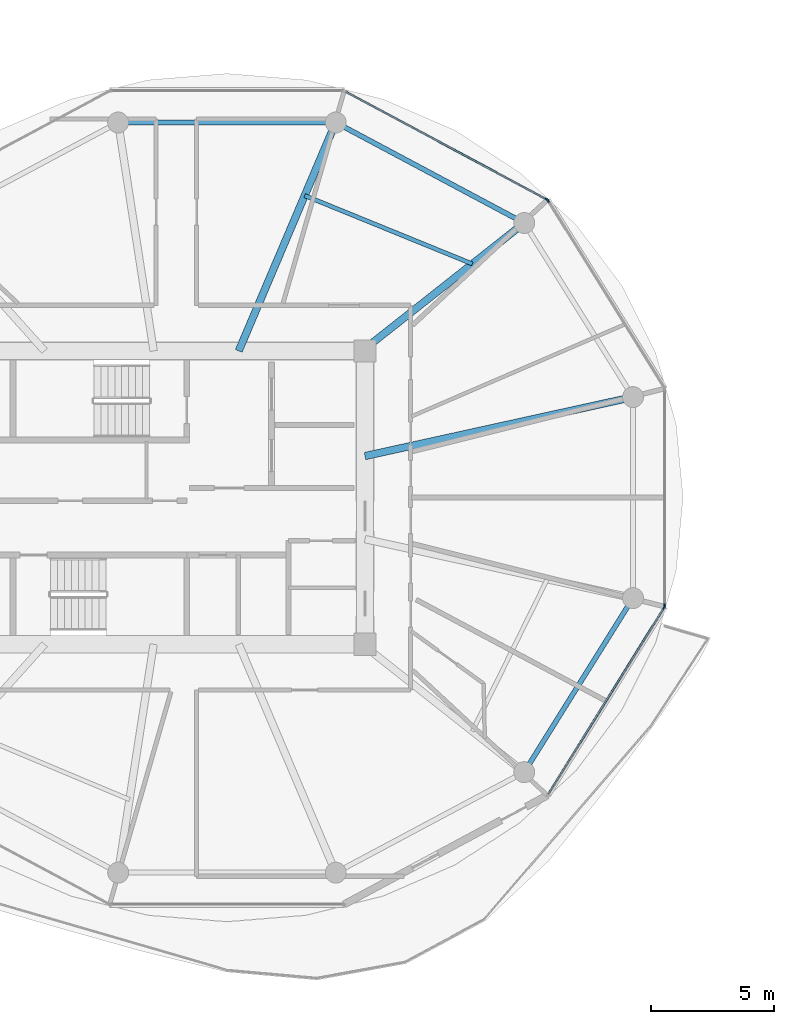
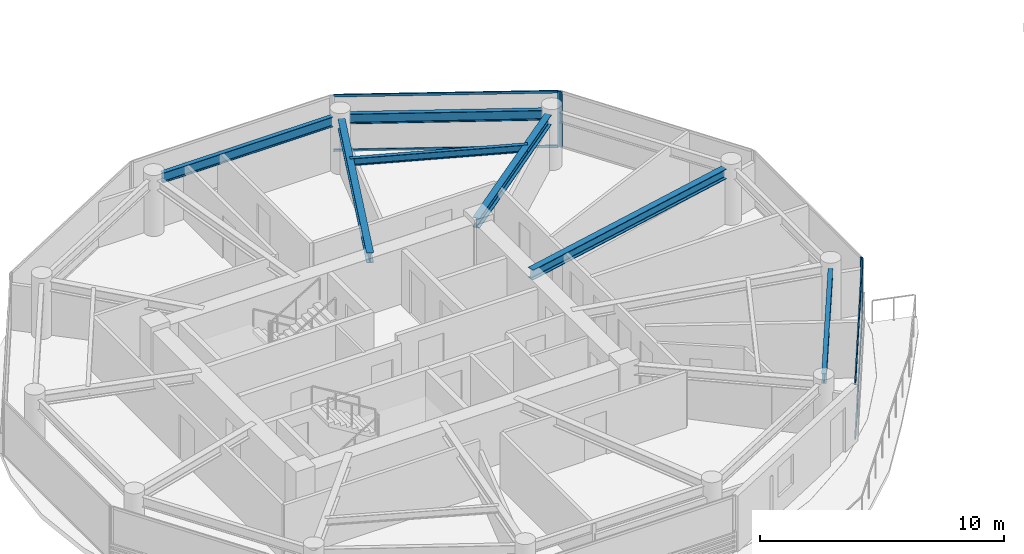
# One storey, part 5 of 24: 8 members, 7 beams, 4 elements without a shape of their own.
"""IFC4 building model written with IfcOpenShell, lengths in metres."""

import ifcopenshell
import ifcopenshell.guid

model = None  # the IFC model being written
_history = None  # IfcOwnerHistory: only IFC2X3 demands one
_inside = {}  # id of a spatial element -> (the spatial element, [elements in it])
_under = {}  # id of a project, library or spatial element -> (it, [spatial elements below it])
_declared = {}  # id of a project -> (the project, [libraries it declares])
_typed = {}  # id of a type object -> (the type object, [elements of that type])
_made_of = {}  # id of a material, layer set ... -> (it, [elements and type objects made of it])


def new_model(schema):
    """Start an empty IFC model of exactly this schema.

    Asked for "IFC4X3", IfcOpenShell would pick the latest addendum, in which some entities
    have other attributes; the version numbers below select the first issue.
    IFC2X3 requires an IfcOwnerHistory on every rooted entity: one is made here for all.
    """
    global model, _history
    if schema == "IFC4X3":
        model = ifcopenshell.file(schema_version=(4, 3, 0, 0))
    else:
        model = ifcopenshell.file(schema=schema)
    _inside.clear()
    _under.clear()
    _declared.clear()
    _typed.clear()
    _made_of.clear()
    _history = None
    if model.schema == "IFC2X3":
        org = make("IfcOrganization", Name="unknown")
        user = make(
            "IfcPersonAndOrganization",
            ThePerson=make("IfcPerson", FamilyName="unknown"),
            TheOrganization=org,
        )
        app = make(
            "IfcApplication",
            ApplicationDeveloper=org,
            Version="unknown",
            ApplicationFullName="unknown",
            ApplicationIdentifier="unknown",
        )
        _history = make(
            "IfcOwnerHistory",
            OwningUser=user,
            OwningApplication=app,
            ChangeAction="ADDED",
            CreationDate=0,
        )
    return model


def make(cls, **values):
    """One entity of the class cls with the attributes given. An attribute that is None is left unset."""
    return model.create_entity(
        cls, **{name: value for name, value in values.items() if value is not None}
    )


def rooted(cls, **values):
    """An entity with a GlobalId (a new one), such as an element, a storey or a relation."""
    return make(cls, GlobalId=ifcopenshell.guid.new(), OwnerHistory=_history, **values)


def si_unit(unit_type, name, prefix=None):
    """IfcSIUnit, for example si_unit("LENGTHUNIT", "METRE", prefix="MILLI")."""
    return make("IfcSIUnit", UnitType=unit_type, Prefix=prefix, Name=name)


def assignment(units):
    """IfcUnitAssignment: the units of a project."""
    return None if units is None else make("IfcUnitAssignment", Units=units)


def point(xyz):
    """IfcCartesianPoint."""
    return None if xyz is None else make("IfcCartesianPoint", Coordinates=xyz)


def direction(xyz):
    """IfcDirection."""
    return None if xyz is None else make("IfcDirection", DirectionRatios=xyz)


def frame(location, z_axis=None, x_axis=None):
    """IfcAxis2Placement3D, a coordinate frame: its origin and axes. An axis left out is left unset."""
    return make(
        "IfcAxis2Placement3D",
        Location=point(location),
        Axis=direction(z_axis),
        RefDirection=direction(x_axis),
    )


def frame_2d(location, x_axis=None):
    """IfcAxis2Placement2D, a coordinate frame in the plane: its origin and x axis."""
    return make(
        "IfcAxis2Placement2D", Location=point(location), RefDirection=direction(x_axis)
    )


def origin():
    """The frame at (0, 0, 0) with its axes left unset."""
    return frame((0.0, 0.0, 0.0))


def origin_2d():
    """The frame at (0, 0) in the plane with its x axis left unset."""
    return frame_2d((0.0, 0.0))


def place(relative_to, where):
    """IfcLocalPlacement: puts the frame where relative to a parent placement (None: the world)."""
    return make(
        "IfcLocalPlacement", PlacementRelTo=relative_to, RelativePlacement=where
    )


def context(
    kind, dimensions, precision=None, world=None, true_north=None, identifier=None
):
    """IfcGeometricRepresentationContext, for example the 3D "Model" context."""
    return make(
        "IfcGeometricRepresentationContext",
        ContextIdentifier=identifier,
        ContextType=kind,
        CoordinateSpaceDimension=dimensions,
        Precision=precision,
        WorldCoordinateSystem=world,
        TrueNorth=true_north,
    )


def subcontext(parent, identifier, kind, view, scale=None):
    """IfcGeometricRepresentationSubContext, for example "Body" below "Model"."""
    return make(
        "IfcGeometricRepresentationSubContext",
        ContextIdentifier=identifier,
        ContextType=kind,
        ParentContext=parent,
        TargetScale=scale,
        TargetView=view,
    )


def project(units=None, contexts=None):
    """IfcProject with its units and contexts."""
    return rooted(
        "IfcProject",
        Name="project",
        RepresentationContexts=contexts,
        UnitsInContext=assignment(units),
    )


def spatial(cls, under=None, at=None, **own):
    """A site, building, storey or space (cls), placed at a placement, below another one or the project."""
    s = rooted(cls, ObjectPlacement=at, **own)
    if under is not None:
        _under.setdefault(under.id(), (under, []))[1].append(s)
    return s


def profile(cls, at=None, kind="AREA", **sizes):
    """A parametric profile (cls). Its sizes go by their IFC names, for example OverallWidth=200.0."""
    return make(cls, ProfileType=kind, Position=at, **sizes)


def rectangle(**sizes):
    """IfcRectangleProfileDef."""
    return profile("IfcRectangleProfileDef", **sizes)


def i_section(**sizes):
    """IfcIShapeProfileDef."""
    return profile("IfcIShapeProfileDef", **sizes)


def extrude(swept, where, along, depth):
    """IfcExtrudedAreaSolid: the profile swept, set in the frame where, extruded along a direction by depth."""
    return make(
        "IfcExtrudedAreaSolid",
        SweptArea=swept,
        Position=where,
        ExtrudedDirection=direction(along),
        Depth=depth,
    )


def shape(context_of_items, identifier, shape_type, items):
    """IfcShapeRepresentation: the items that make up one representation, for example the "Body"."""
    return make(
        "IfcShapeRepresentation",
        ContextOfItems=context_of_items,
        RepresentationIdentifier=identifier,
        RepresentationType=shape_type,
        Items=items,
    )


def source(mapping_origin, context_of_items, identifier, shape_type, items):
    """IfcRepresentationMap: a shape defined once, which mapped items show again and again."""
    return make(
        "IfcRepresentationMap",
        MappingOrigin=mapping_origin,
        MappedRepresentation=shape(context_of_items, identifier, shape_type, items),
    )


def transform(
    local_origin,
    x_axis=None,
    y_axis=None,
    z_axis=None,
    scale=None,
    scale2=None,
    scale3=None,
    uniform=True,
):
    """IfcCartesianTransformationOperator3D, or its non-uniform kind. x_axis, y_axis, z_axis: its Axis1, 2, 3."""
    if uniform:
        return make(
            "IfcCartesianTransformationOperator3D",
            Axis1=direction(x_axis),
            Axis2=direction(y_axis),
            LocalOrigin=point(local_origin),
            Scale=scale,
            Axis3=direction(z_axis),
        )
    return make(
        "IfcCartesianTransformationOperator3DnonUniform",
        Axis1=direction(x_axis),
        Axis2=direction(y_axis),
        LocalOrigin=point(local_origin),
        Scale=scale,
        Axis3=direction(z_axis),
        Scale2=scale2,
        Scale3=scale3,
    )


def mapped(mapping_source, mapping_target):
    """IfcMappedItem: shows the shape of a source again, moved by a transform."""
    return make(
        "IfcMappedItem", MappingSource=mapping_source, MappingTarget=mapping_target
    )


def material(Name=None, Category=None):
    """IfcMaterial."""
    return make("IfcMaterial", Name=Name, Category=Category)


def layer(
    of_material, thickness, ventilated=None, Name=None, Category=None, Priority=None
):
    """IfcMaterialLayer: one layer of a wall or slab, of a material (None: an air gap)."""
    return make(
        "IfcMaterialLayer",
        Material=of_material,
        LayerThickness=thickness,
        IsVentilated=ventilated,
        Name=Name,
        Category=Category,
        Priority=Priority,
    )


def layer_set(layers, Name=None):
    """IfcMaterialLayerSet."""
    return make("IfcMaterialLayerSet", MaterialLayers=layers, LayerSetName=Name)


def material_profile(
    of_material, cross_section, Name=None, Category=None, Priority=None
):
    """IfcMaterialProfile: a cross section and its material."""
    return make(
        "IfcMaterialProfile",
        Name=Name,
        Material=of_material,
        Profile=cross_section,
        Priority=Priority,
        Category=Category,
    )


def profile_set(profiles, Name=None, composite=None):
    """IfcMaterialProfileSet."""
    return make(
        "IfcMaterialProfileSet",
        Name=Name,
        MaterialProfiles=profiles,
        CompositeProfile=composite,
    )


def made_of(thing, what):
    """Note that an element or type object is made of a material, layer set ...; save() writes the relation."""
    if what is not None:
        _made_of.setdefault(what.id(), (what, []))[1].append(thing)
    return thing


def type_object(cls, material=None, **own):
    """A type object (cls), such as IfcWallType, which elements share."""
    return made_of(rooted(cls, **own), material)


def type_shapes(of_type, sources):
    """Give a type object the sources (RepresentationMaps) that its elements show as mapped items."""
    of_type.RepresentationMaps = sources


def element(
    cls,
    number,
    at=None,
    inside=None,
    cuts=None,
    type_object=None,
    material=None,
    context=None,
    identifier="Body",
    shape_type=None,
    held_by="IfcProductDefinitionShape",
    body=None,
    shapes=None,
    **own,
):
    """One element of the class cls, such as IfcWall. Its Tag is "e" and its number.

    at: its placement. inside: the storey or other place that contains it. cuts: it is an
    opening in that element (IfcRelVoidsElement). A single representation is given by context,
    identifier, shape_type and body (its items); several are given by shapes. held_by: the class
    of the entity that holds the representations. save() writes the other relations.
    """
    e = rooted(cls, Tag="e%d" % number, ObjectPlacement=at, **own)
    if body is not None:
        shapes = [shape(context, identifier, shape_type, body)]
    if shapes is not None:
        e.Representation = make(held_by, Representations=shapes)
    if inside is not None:
        _inside.setdefault(inside.id(), (inside, []))[1].append(e)
    if cuts is not None:
        rooted(
            "IfcRelVoidsElement", RelatingBuildingElement=cuts, RelatedOpeningElement=e
        )
    if type_object is not None:
        _typed.setdefault(type_object.id(), (type_object, []))[1].append(e)
    return made_of(e, material)


def aggregate(whole, parts):
    """IfcRelAggregates: a whole, such as a stair, and the parts it consists of."""
    return rooted("IfcRelAggregates", RelatingObject=whole, RelatedObjects=parts)


def save(model, path):
    """Write the relations noted so far, then the file.

    IfcRelAggregates (storeys below a building ...), IfcRelContainedInSpatialStructure (elements
    in a storey), IfcRelDefinesByType, IfcRelAssociatesMaterial and IfcRelDeclares: one each for
    every whole, place, type object, material and project.
    """
    for whole, parts in _under.values():
        aggregate(whole, parts)
    for where, things in _inside.values():
        rooted(
            "IfcRelContainedInSpatialStructure",
            RelatedElements=things,
            RelatingStructure=where,
        )
    for kind, things in _typed.values():
        rooted("IfcRelDefinesByType", RelatedObjects=things, RelatingType=kind)
    for what, things in _made_of.values():
        rooted("IfcRelAssociatesMaterial", RelatedObjects=things, RelatingMaterial=what)
    for by, libraries in _declared.values():
        rooted("IfcRelDeclares", RelatingContext=by, RelatedDefinitions=libraries)
    model.write(path)


model = new_model("IFC4")

# Units and contexts
model_context = context("Model", 3, precision=1e-05, world=origin(), true_north=direction((0.0, 1.0)))
body_context = subcontext(model_context, "Body", "Model", "MODEL_VIEW")
ifc_project = project(units=[si_unit("LENGTHUNIT", "METRE"), si_unit("AREAUNIT", "SQUARE_METRE"), si_unit("VOLUMEUNIT", "CUBIC_METRE"), si_unit("PLANEANGLEUNIT", "RADIAN"), si_unit("MASSUNIT", "GRAM", prefix="KILO")], contexts=[model_context])

# Site, building, storey
site_placement = place(None, origin())
site = spatial("IfcSite", under=ifc_project, at=site_placement, CompositionType="ELEMENT")
building_placement = place(site_placement, origin())
building = spatial("IfcBuilding", under=site, at=building_placement, Name="Norrkilde Senior Care Towers", CompositionType="ELEMENT")
storey_placement = place(building_placement, frame((0.0, 0.0, 111.5)))
storey = spatial("IfcBuildingStorey", under=building, at=storey_placement, Name="L34", CompositionType="ELEMENT", Elevation=111.5)

# Beams
ifc_material_1 = material(Name="Steel S355", Category="steel")
ifc_material_profile_1 = material_profile(ifc_material_1, i_section(OverallWidth=0.199951171875, OverallDepth=0.5, WebThickness=0.01025390625, FlangeThickness=0.01611328125, FilletRadius=0.02099609375, at=origin_2d()), Name="IPE 500")
ifc_profile_set_1 = profile_set([ifc_material_profile_1], Name="Steel S355")
beam_type_1 = type_object("IfcBeamType", Name="Perimeter Ring Spandrel Z2 IPE500", PredefinedType="SPANDREL", material=ifc_profile_set_1)
shared_shape_1 = source(origin(), body_context, "Body", "SweptSolid", [
    extrude(i_section(OverallWidth=0.199951171875, OverallDepth=0.5, WebThickness=0.01025390625, FlangeThickness=0.01611328125, FilletRadius=0.02099609375, at=origin_2d()), origin(), (0.0, 0.0, 1.0), 7.55615234375),
])
beam_1_placement = place(storey_placement, frame((-13.689697265625, -10.810546875, 2.5400390625), z_axis=(0.529981514254, 0.848009194849, 0.0), x_axis=(-0.848009194849, 0.529981514254, 0.0)))
element("IfcBeam", 1, at=beam_1_placement, inside=storey, type_object=beam_type_1, Name="L34 Drum W Perimeter Spandrel 11", PredefinedType="SPANDREL", context=body_context, shape_type="MappedRepresentation", body=[
    mapped(shared_shape_1, transform((0.0, 0.0, 0.0), x_axis=(1.0, 0.0, 0.0), y_axis=(0.0, 1.0, 0.0), z_axis=(0.0, 0.0, 1.0), scale=1.0)),
])
ifc_material_profile_2 = material_profile(ifc_material_1, i_section(OverallWidth=0.300048828125, OverallDepth=0.5, WebThickness=0.014404296875, FlangeThickness=0.028076171875, FilletRadius=0.027099609375, at=origin_2d()), Name="HEB 500")
ifc_profile_set_2 = profile_set([ifc_material_profile_2], Name="Steel S355")
beam_type_2 = type_object("IfcBeamType", Name="Radial Floor Beam Z2 HEB500", PredefinedType="BEAM", material=ifc_profile_set_2)
shared_shape_2 = source(origin(), body_context, "Body", "SweptSolid", [
    extrude(i_section(OverallWidth=0.300048828125, OverallDepth=0.5, WebThickness=0.014404296875, FlangeThickness=0.028076171875, FilletRadius=0.027099609375, at=origin_2d()), origin(), (0.0, 0.0, 1.0), 10.744384765625),
])
beam_2_placement = place(storey_placement, frame((-20.35009765625, 1.683837890625, 2.5400390625), z_axis=(0.976618711422, 0.214978818724, 0.0), x_axis=(-0.214978818724, 0.976618711422, 0.0)))
element("IfcBeam", 2, at=beam_2_placement, inside=storey, type_object=beam_type_2, Name="L34 Drum W Radial Floor Beam 01", PredefinedType="BEAM", context=body_context, shape_type="MappedRepresentation", body=[
    mapped(shared_shape_2, transform((0.0, 0.0, 0.0), x_axis=(1.0, 0.0, 0.0), y_axis=(0.0, 1.0, 0.0), z_axis=(0.0, 0.0, 1.0), scale=1.0)),
])
shared_shape_3 = source(origin(), body_context, "Body", "SweptSolid", [
    extrude(i_section(OverallWidth=0.199951171875, OverallDepth=0.5, WebThickness=0.01025390625, FlangeThickness=0.01611328125, FilletRadius=0.02099609375, at=origin_2d()), origin(), (0.0, 0.0, 1.0), 7.892333984375),
])
beam_3_placement = place(storey_placement, frame((-14.233642578125, 11.318115234375, 2.5400390625), z_axis=(-0.882350372282, 0.47059305194, 0.0), x_axis=(-0.47059305194, -0.882350372282, 0.0)))
element("IfcBeam", 3, at=beam_3_placement, inside=storey, type_object=beam_type_1, Name="L34 Drum W Perimeter Spandrel 02", PredefinedType="SPANDREL", context=body_context, shape_type="MappedRepresentation", body=[
    mapped(shared_shape_3, transform((0.0, 0.0, 0.0), x_axis=(1.0, 0.0, 0.0), y_axis=(0.0, 1.0, 0.0), z_axis=(0.0, 0.0, 1.0), scale=1.0)),
])
shared_shape_4 = source(origin(), body_context, "Body", "SweptSolid", [
    extrude(i_section(OverallWidth=0.300048828125, OverallDepth=0.5, WebThickness=0.014404296875, FlangeThickness=0.028076171875, FilletRadius=0.027099609375, at=origin_2d()), origin(), (0.0, 0.0, 1.0), 7.985595703125),
])
beam_4_placement = place(storey_placement, frame((-20.463623046875, 5.949951171875, 2.5400390625), z_axis=(0.784858505144, 0.619675017169, 0.0), x_axis=(-0.619675017169, 0.784858505144, 0.0)))
element("IfcBeam", 4, at=beam_4_placement, inside=storey, type_object=beam_type_2, Name="L34 Drum W Radial Floor Beam 02", PredefinedType="BEAM", context=body_context, shape_type="MappedRepresentation", body=[
    mapped(shared_shape_4, transform((0.0, 0.0, 0.0), x_axis=(1.0, 0.0, 0.0), y_axis=(0.0, 1.0, 0.0), z_axis=(0.0, 0.0, 1.0), scale=1.0)),
])
shared_shape_5 = source(origin(), body_context, "Body", "SweptSolid", [
    extrude(i_section(OverallWidth=0.199951171875, OverallDepth=0.5, WebThickness=0.01025390625, FlangeThickness=0.01611328125, FilletRadius=0.02099609375, at=origin_2d()), origin(), (0.0, 0.0, 1.0), 8.0556640625),
])
type_shapes(beam_type_1, [shared_shape_1, shared_shape_3, shared_shape_5])
beam_5_placement = place(storey_placement, frame((-21.922119140625, 15.21337890625, 2.5400390625), z_axis=(-1.0, 0.0, 0.0), x_axis=(0.0, -1.0, 0.0)))
element("IfcBeam", 5, at=beam_5_placement, inside=storey, type_object=beam_type_1, Name="L34 Drum W Perimeter Spandrel 03", PredefinedType="SPANDREL", context=body_context, shape_type="MappedRepresentation", body=[
    mapped(shared_shape_5, transform((0.0, 0.0, 0.0), x_axis=(1.0, 0.0, 0.0), y_axis=(0.0, 1.0, 0.0), z_axis=(0.0, 0.0, 1.0), scale=1.0)),
])
shared_shape_6 = source(origin(), body_context, "Body", "SweptSolid", [
    extrude(i_section(OverallWidth=0.300048828125, OverallDepth=0.5, WebThickness=0.014404296875, FlangeThickness=0.028076171875, FilletRadius=0.027099609375, at=origin_2d()), origin(), (0.0, 0.0, 1.0), 9.679443359375),
])
type_shapes(beam_type_2, [shared_shape_2, shared_shape_4, shared_shape_6])
beam_6_placement = place(storey_placement, frame((-25.472412109375, 5.949951171875, 2.5400390625), z_axis=(0.390998033479, 0.920391513333, 0.0), x_axis=(-0.920391513333, 0.390998033479, 0.0)))
element("IfcBeam", 6, at=beam_6_placement, inside=storey, type_object=beam_type_2, Name="L34 Drum W Radial Floor Beam 03", PredefinedType="BEAM", context=body_context, shape_type="MappedRepresentation", body=[
    mapped(shared_shape_6, transform((0.0, 0.0, 0.0), x_axis=(1.0, 0.0, 0.0), y_axis=(0.0, 1.0, 0.0), z_axis=(0.0, 0.0, 1.0), scale=1.0)),
])
ifc_material_profile_3 = material_profile(ifc_material_1, i_section(OverallWidth=0.169921875, OverallDepth=0.360107421875, WebThickness=0.008056640625, FlangeThickness=0.0126953125, FilletRadius=0.01806640625, at=origin_2d()), Name="IPE 360")
ifc_profile_set_3 = profile_set([ifc_material_profile_3], Name="Steel S355")
beam_type_3 = type_object("IfcBeamType", Name="Secondary Floor Joist IPE360", PredefinedType="JOIST", material=ifc_profile_set_3)
shared_shape_7 = source(origin(), body_context, "Body", "SweptSolid", [
    extrude(i_section(OverallWidth=0.169921875, OverallDepth=0.360107421875, WebThickness=0.008056640625, FlangeThickness=0.0126953125, FilletRadius=0.01806640625, at=origin_2d()), origin(), (0.0, 0.0, 1.0), 7.343505859375),
])
type_shapes(beam_type_3, [shared_shape_7])
beam_7_placement = place(storey_placement, frame((-15.99609375, 9.47705078125, 2.610107421875), z_axis=(-0.926021784767, 0.377470070519, 0.0), x_axis=(-0.377470070519, -0.926021784767, 0.0)))
element("IfcBeam", 7, at=beam_7_placement, inside=storey, type_object=beam_type_3, Name="L34 Drum W Secondary Floor Joist 1", PredefinedType="JOIST", context=body_context, shape_type="MappedRepresentation", body=[
    mapped(shared_shape_7, transform((0.0, 0.0, 0.0), x_axis=(1.0, 0.0, 0.0), y_axis=(0.0, 1.0, 0.0), z_axis=(0.0, 0.0, 1.0), scale=1.0)),
])

# Curtain wall, member
ifc_material_2 = material(Name="Triple Low-E Insulated Glazing", Category="glass")
ifc_layer = layer(ifc_material_2, 0.195068359375)
ifc_layer_set = layer_set([ifc_layer], Name="Triple Low-E Insulated Glazing")
curtain_wall_type = type_object("IfcCurtainWallType", Name="CW3 Zone 2 Assisted Living Curtain Wall", PredefinedType="NOTDEFINED", material=ifc_layer_set)
curtain_wall_1_placement = place(storey_placement, origin())
curtain_wall_1 = element("IfcCurtainWall", 8, at=curtain_wall_1_placement, inside=storey, type_object=curtain_wall_type, Name="L34 Drum W Curtain Wall 00", PredefinedType="NOTDEFINED")
ifc_material_3 = material(Name="Anodised Aluminium", Category="aluminium")
ifc_material_profile_4 = material_profile(ifc_material_3, rectangle(XDim=0.06494140625, YDim=0.159912109375, at=origin_2d()), Name="ALU MULL 65x160")
ifc_profile_set_4 = profile_set([ifc_material_profile_4], Name="Anodised Aluminium")
member_type_1 = type_object("IfcMemberType", Name="Curtain Wall Mullion Z1-Z2 65x160", PredefinedType="MULLION", material=ifc_profile_set_4)
shared_shape_8 = source(origin(), body_context, "Body", "SweptSolid", [
    extrude(rectangle(XDim=0.06494140625, YDim=0.159912109375, at=origin_2d()), origin(), (0.0, 0.0, 1.0), 2.7900390625),
])
type_shapes(member_type_1, [shared_shape_8])
member_1_placement = place(storey_placement, frame((-12.936279296875, 12.0498046875, 0.0), z_axis=(0.0, 0.0, 1.0), x_axis=(0.849410171862, 0.527733228002, 0.0)))
member_1 = element("IfcMember", 9, at=member_1_placement, type_object=member_type_1, Name="CW-3 mullion 1", PredefinedType="MULLION", context=body_context, shape_type="MappedRepresentation", body=[
    mapped(shared_shape_8, transform((0.0, 0.0, 0.0), x_axis=(1.0, 0.0, 0.0), y_axis=(0.0, 1.0, 0.0), z_axis=(0.0, 0.0, 1.0), scale=1.0)),
])
aggregate(curtain_wall_1, [member_1])

curtain_wall_2_placement = place(storey_placement, origin())
curtain_wall_2 = element("IfcCurtainWall", 10, at=curtain_wall_2_placement, inside=storey, type_object=curtain_wall_type, Name="L34 Drum W Curtain Wall 01", PredefinedType="NOTDEFINED")
member_2_placement = place(storey_placement, frame((-12.98193359375, 12.0927734375, 0.0), z_axis=(0.0, 0.0, 1.0), x_axis=(0.472769402511, 0.881186184668, 0.0)))
member_2 = element("IfcMember", 11, at=member_2_placement, type_object=member_type_1, Name="CW-3 mullion 2", PredefinedType="MULLION", context=body_context, shape_type="MappedRepresentation", body=[
    mapped(shared_shape_8, transform((0.0, 0.0, 0.0), x_axis=(1.0, 0.0, 0.0), y_axis=(0.0, 1.0, 0.0), z_axis=(0.0, 0.0, 1.0), scale=1.0)),
])

curtain_wall_3_placement = place(storey_placement, origin())
curtain_wall_3 = element("IfcCurtainWall", 12, at=curtain_wall_3_placement, inside=storey, type_object=curtain_wall_type, Name="L34 Drum W Curtain Wall 10", PredefinedType="NOTDEFINED")
member_3_placement = place(storey_placement, frame((-8.21337890625, -4.4482421875, 0.0), z_axis=(0.0, 0.0, 1.0), x_axis=(0.849410171862, -0.527733228002, 0.0)))
member_3 = element("IfcMember", 13, at=member_3_placement, type_object=member_type_1, Name="CW-3 mullion 1", PredefinedType="MULLION", context=body_context, shape_type="MappedRepresentation", body=[
    mapped(shared_shape_8, transform((0.0, 0.0, 0.0), x_axis=(1.0, 0.0, 0.0), y_axis=(0.0, 1.0, 0.0), z_axis=(0.0, 0.0, 1.0), scale=1.0)),
])

curtain_wall_4_placement = place(storey_placement, origin())
curtain_wall_4 = element("IfcCurtainWall", 14, at=curtain_wall_4_placement, inside=storey, type_object=curtain_wall_type, Name="L34 Drum W Curtain Wall 11", PredefinedType="NOTDEFINED")
member_4_placement = place(storey_placement, frame((-8.1962890625, -4.38818359375, 0.0), z_axis=(0.0, 0.0, 1.0), x_axis=(1.0, 0.0, 0.0)))
member_4 = element("IfcMember", 15, at=member_4_placement, type_object=member_type_1, Name="CW-3 mullion 2", PredefinedType="MULLION", context=body_context, shape_type="MappedRepresentation", body=[
    mapped(shared_shape_8, transform((0.0, 0.0, 0.0), x_axis=(1.0, 0.0, 0.0), y_axis=(0.0, 1.0, 0.0), z_axis=(0.0, 0.0, 1.0), scale=1.0)),
])
aggregate(curtain_wall_4, [member_4])

# Member
ifc_material_profile_5 = material_profile(ifc_material_3, rectangle(XDim=0.06005859375, YDim=0.1201171875, at=origin_2d()), Name="ALU TRAN 60x120")
ifc_profile_set_5 = profile_set([ifc_material_profile_5], Name="Anodised Aluminium")
member_type_2 = type_object("IfcMemberType", Name="Curtain Wall Transom Typical 60x120", PredefinedType="USERDEFINED", material=ifc_profile_set_5)
shared_shape_9 = source(origin(), body_context, "Body", "SweptSolid", [
    extrude(rectangle(XDim=0.06005859375, YDim=0.1201171875, at=origin_2d()), origin(), (0.0, 0.0, 1.0), 8.88427734375),
])
member_5_placement = place(storey_placement, frame((-8.23046875, -4.475830078125, 0.030029296875), z_axis=(-0.527749293309, -0.849400190377, 0.0), x_axis=(0.849400190377, -0.527749293309, 0.0)))
member_5 = element("IfcMember", 16, at=member_5_placement, type_object=member_type_2, Name="CW-3 transom 1.1", ObjectType="TRANSOM", PredefinedType="USERDEFINED", context=body_context, shape_type="MappedRepresentation", body=[
    mapped(shared_shape_9, transform((0.0, 0.0, 0.0), x_axis=(1.0, 0.0, 0.0), y_axis=(0.0, 1.0, 0.0), z_axis=(0.0, 0.0, 1.0), scale=1.0)),
])

member_6_placement = place(storey_placement, frame((-8.23046875, -4.475830078125, 2.760009765625), z_axis=(-0.527749293309, -0.849400190377, 0.0), x_axis=(0.849400190377, -0.527749293309, 0.0)))
member_6 = element("IfcMember", 17, at=member_6_placement, type_object=member_type_2, Name="CW-3 transom 1.2", ObjectType="TRANSOM", PredefinedType="USERDEFINED", context=body_context, shape_type="MappedRepresentation", body=[
    mapped(shared_shape_9, transform((0.0, 0.0, 0.0), x_axis=(1.0, 0.0, 0.0), y_axis=(0.0, 1.0, 0.0), z_axis=(0.0, 0.0, 1.0), scale=1.0)),
])

aggregate(curtain_wall_3, [member_3, member_5, member_6])

shared_shape_10 = source(origin(), body_context, "Body", "SweptSolid", [
    extrude(rectangle(XDim=0.06005859375, YDim=0.1201171875, at=origin_2d()), origin(), (0.0, 0.0, 1.0), 9.220458984375),
])
type_shapes(member_type_2, [shared_shape_9, shared_shape_10])
member_7_placement = place(storey_placement, frame((-21.1357421875, 16.46728515625, 0.030029296875), z_axis=(0.881188517866, -0.472765053681, 0.0), x_axis=(0.472765053681, 0.881188517866, 0.0)))
member_7 = element("IfcMember", 18, at=member_7_placement, type_object=member_type_2, Name="CW-3 transom 1.1", ObjectType="TRANSOM", PredefinedType="USERDEFINED", context=body_context, shape_type="MappedRepresentation", body=[
    mapped(shared_shape_10, transform((0.0, 0.0, 0.0), x_axis=(1.0, 0.0, 0.0), y_axis=(0.0, 1.0, 0.0), z_axis=(0.0, 0.0, 1.0), scale=1.0)),
])

member_8_placement = place(storey_placement, frame((-21.1357421875, 16.46728515625, 2.760009765625), z_axis=(0.881188517866, -0.472765053681, 0.0), x_axis=(0.472765053681, 0.881188517866, 0.0)))
member_8 = element("IfcMember", 19, at=member_8_placement, type_object=member_type_2, Name="CW-3 transom 1.2", ObjectType="TRANSOM", PredefinedType="USERDEFINED", context=body_context, shape_type="MappedRepresentation", body=[
    mapped(shared_shape_10, transform((0.0, 0.0, 0.0), x_axis=(1.0, 0.0, 0.0), y_axis=(0.0, 1.0, 0.0), z_axis=(0.0, 0.0, 1.0), scale=1.0)),
])

aggregate(curtain_wall_2, [member_2, member_7, member_8])

save(model, "model.ifc")
